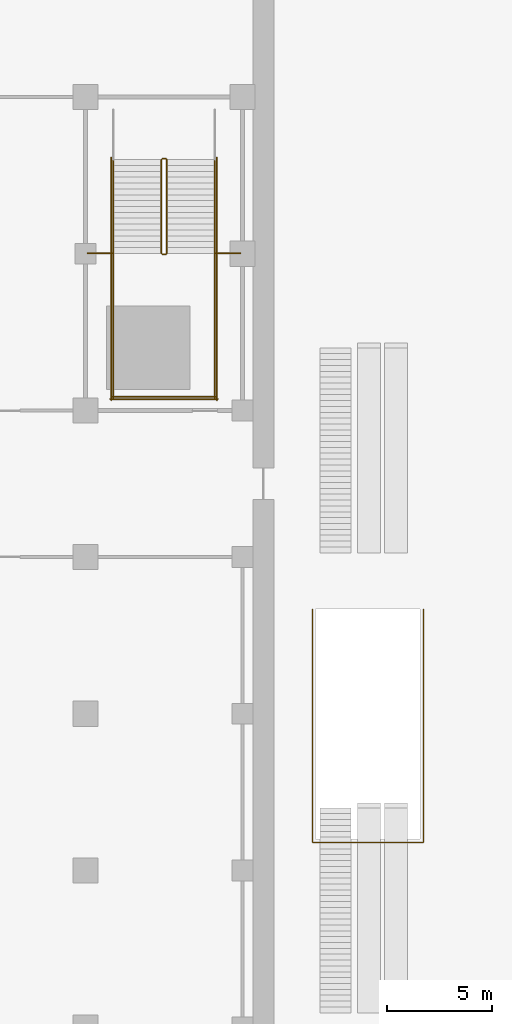
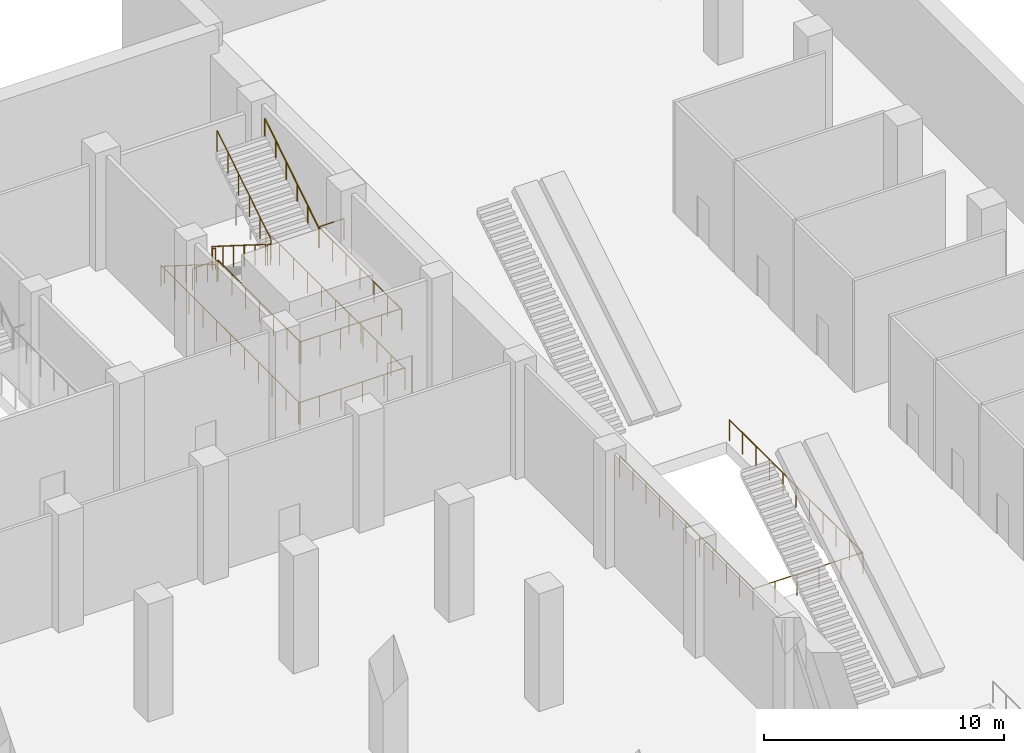
# One storey, part 37 of 45: 15 railings.
"""IFC4 building model written with IfcOpenShell, lengths in metres."""

from ifc_helpers import new_model, si_unit, direction, frame, origin, origin_2d, place, context, subcontext, project, spatial, circle, extrude, material, type_object, element, save


model = new_model("IFC4")

# Units and contexts
model_context = context("Model", 3, precision=1e-05, world=origin(), true_north=direction((0.0, 1.0)))
body_context = subcontext(model_context, "Body", "Model", "MODEL_VIEW")
ifc_project = project(units=[si_unit("LENGTHUNIT", "METRE"), si_unit("AREAUNIT", "SQUARE_METRE"), si_unit("VOLUMEUNIT", "CUBIC_METRE"), si_unit("PLANEANGLEUNIT", "RADIAN"), si_unit("MASSUNIT", "GRAM", prefix="KILO")], contexts=[model_context])

# Site, building, storey
site_placement = place(None, origin())
site = spatial("IfcSite", under=ifc_project, at=site_placement, CompositionType="ELEMENT")
building_placement = place(site_placement, origin())
building = spatial("IfcBuilding", under=site, at=building_placement, Name="Tamorin Gate", CompositionType="ELEMENT")
storey_placement = place(building_placement, frame((0.0, 0.0, -6.0)))
storey = spatial("IfcBuildingStorey", under=building, at=storey_placement, Name="B1", CompositionType="ELEMENT", Elevation=-6.0)

# Railings
ifc_material = material(Name="Steel", Category="steel")
railing_type_1 = type_object("IfcRailingType", Name="Podium guard 1100", PredefinedType="GUARDRAIL", material=ifc_material)
railing_1_placement = place(storey_placement, frame((85.625, 109.0, 0.176513671875)))
element("IfcRailing", 1, at=railing_1_placement, inside=storey, type_object=railing_type_1, Name="B1 SB5 stair guard 1", PredefinedType="GUARDRAIL", context=body_context, shape_type="SweptSolid", body=[
    extrude(circle(Radius=0.02392578125, at=origin_2d()), frame((0.0, 0.0, 1.076171875), z_axis=(0.0, -0.845997938375, 0.533186166611), x_axis=(1.0, 0.0, 0.0)), (0.0, 0.0, 1.0), 5.29541015625),
    extrude(circle(Radius=0.02099609375, at=origin_2d()), origin(), (0.0, 0.0, 1.0), 1.052001953125),
    extrude(circle(Radius=0.02099609375, at=origin_2d()), frame((0.0, -0.89599609375, 0.564697265625)), (0.0, 0.0, 1.0), 1.052001953125),
    extrude(circle(Radius=0.02099609375, at=origin_2d()), frame((0.0, -1.7919921875, 1.12939453125)), (0.0, 0.0, 1.0), 1.052001953125),
    extrude(circle(Radius=0.02099609375, at=origin_2d()), frame((0.0, -2.68798828125, 1.694091796875)), (0.0, 0.0, 1.0), 1.052001953125),
    extrude(circle(Radius=0.02099609375, at=origin_2d()), frame((0.0, -3.583984375, 2.2587890625)), (0.0, 0.0, 1.0), 1.052001953125),
    extrude(circle(Radius=0.02099609375, at=origin_2d()), frame((0.0, -4.47998046875, 2.823486328125)), (0.0, 0.0, 1.0), 1.052001953125),
])
railing_2_placement = place(storey_placement, frame((85.675048828125, 104.469970703125, 3.0)))
element("IfcRailing", 2, at=railing_2_placement, inside=storey, type_object=railing_type_1, Name="B1 SB5 stair guard 2", PredefinedType="GUARDRAIL", context=body_context, shape_type="SweptSolid", body=[
    extrude(circle(Radius=0.02392578125, at=origin_2d()), frame((0.0, 0.0, 1.076171875), z_axis=(1.0, 0.0, 0.0), x_axis=(0.0, 1.0, 0.0)), (0.0, 0.0, 1.0), 0.14990234375),
    extrude(circle(Radius=0.02099609375, at=origin_2d()), origin(), (0.0, 0.0, 1.0), 1.052001953125),
    extrude(circle(Radius=0.02099609375, at=origin_2d()), frame((0.14990234375, 0.0, 0.0)), (0.0, 0.0, 1.0), 1.052001953125),
])
for number, where, name in (
    (3, (83.324951171875, 104.52001953125, 3.0), "B1 SB5 stair guard 3"),
    (4, (88.175048828125, 104.52001953125, 3.0), "B1 SB5 stair guard 4"),
):
    element("IfcRailing", number, at=place(storey_placement, frame(where)), inside=storey, type_object=railing_type_1, Name=name, PredefinedType="GUARDRAIL", context=body_context, shape_type="SweptSolid", body=[
        extrude(circle(Radius=0.02392578125, at=origin_2d()), frame((0.0, 0.0, 1.076171875), z_axis=(0.0, -1.0, 0.0), x_axis=(1.0, 0.0, 0.0)), (0.0, 0.0, 1.0), 6.919921875),
        extrude(circle(Radius=0.02099609375, at=origin_2d()), origin(), (0.0, 0.0, 1.0), 1.052001953125),
        extrude(circle(Radius=0.02099609375, at=origin_2d()), frame((0.0, -1.1533203125, 0.0)), (0.0, 0.0, 1.0), 1.052001953125),
        extrude(circle(Radius=0.02099609375, at=origin_2d()), frame((0.0, -2.306640625, 0.0)), (0.0, 0.0, 1.0), 1.052001953125),
        extrude(circle(Radius=0.02099609375, at=origin_2d()), frame((0.0, -3.4599609375, 0.0)), (0.0, 0.0, 1.0), 1.052001953125),
        extrude(circle(Radius=0.02099609375, at=origin_2d()), frame((0.0, -4.61328125, 0.0)), (0.0, 0.0, 1.0), 1.052001953125),
        extrude(circle(Radius=0.02099609375, at=origin_2d()), frame((0.0, -5.7666015625, 0.0)), (0.0, 0.0, 1.0), 1.052001953125),
        extrude(circle(Radius=0.02099609375, at=origin_2d()), frame((0.0, -6.919921875, 0.0)), (0.0, 0.0, 1.0), 1.052001953125),
    ])
railing_3_placement = place(storey_placement, frame((83.27490234375, 97.64990234375, 3.0)))
element("IfcRailing", 5, at=railing_3_placement, inside=storey, type_object=railing_type_1, Name="B1 SB5 stair guard 5", PredefinedType="GUARDRAIL", context=body_context, shape_type="SweptSolid", body=[
    extrude(circle(Radius=0.02392578125, at=origin_2d()), frame((0.0, 0.0, 1.076171875), z_axis=(1.0, 0.0, 0.0), x_axis=(0.0, 1.0, 0.0)), (0.0, 0.0, 1.0), 4.9501953125),
    extrude(circle(Radius=0.02099609375, at=origin_2d()), origin(), (0.0, 0.0, 1.0), 1.052001953125),
    extrude(circle(Radius=0.02099609375, at=origin_2d()), frame((0.989990234375, 0.0, 0.0)), (0.0, 0.0, 1.0), 1.052001953125),
    extrude(circle(Radius=0.02099609375, at=origin_2d()), frame((1.97998046875, 0.0, 0.0)), (0.0, 0.0, 1.0), 1.052001953125),
    extrude(circle(Radius=0.02099609375, at=origin_2d()), frame((2.97021484375, 0.0, 0.0)), (0.0, 0.0, 1.0), 1.052001953125),
    extrude(circle(Radius=0.02099609375, at=origin_2d()), frame((3.960205078125, 0.0, 0.0)), (0.0, 0.0, 1.0), 1.052001953125),
    extrude(circle(Radius=0.02099609375, at=origin_2d()), frame((4.9501953125, 0.0, 0.0)), (0.0, 0.0, 1.0), 1.052001953125),
])
railing_4_placement = place(storey_placement, frame((85.875, 104.52001953125, 3.176513671875)))
element("IfcRailing", 6, at=railing_4_placement, inside=storey, type_object=railing_type_1, Name="B1 SB5 stair guard 6", PredefinedType="GUARDRAIL", context=body_context, shape_type="SweptSolid", body=[
    extrude(circle(Radius=0.02392578125, at=origin_2d()), frame((0.0, 0.0, 1.076171875), z_axis=(0.0, 0.845997938375, 0.533186166611), x_axis=(-1.0, 0.0, 0.0)), (0.0, 0.0, 1.0), 5.29541015625),
    extrude(circle(Radius=0.02099609375, at=origin_2d()), origin(), (0.0, 0.0, 1.0), 1.052001953125),
    extrude(circle(Radius=0.02099609375, at=origin_2d()), frame((0.0, 0.89599609375, 0.564697265625)), (0.0, 0.0, 1.0), 1.052001953125),
    extrude(circle(Radius=0.02099609375, at=origin_2d()), frame((0.0, 1.7919921875, 1.12939453125)), (0.0, 0.0, 1.0), 1.052001953125),
    extrude(circle(Radius=0.02099609375, at=origin_2d()), frame((0.0, 2.68798828125, 1.694091796875)), (0.0, 0.0, 1.0), 1.052001953125),
    extrude(circle(Radius=0.02099609375, at=origin_2d()), frame((0.0, 3.583984375, 2.2587890625)), (0.0, 0.0, 1.0), 1.052001953125),
    extrude(circle(Radius=0.02099609375, at=origin_2d()), frame((0.0, 4.47998046875, 2.823486328125)), (0.0, 0.0, 1.0), 1.052001953125),
])
railing_5_placement = place(storey_placement, frame((85.675048828125, 109.050048828125, 0.0)))
element("IfcRailing", 7, at=railing_5_placement, inside=storey, type_object=railing_type_1, Name="B1 SB5 stair guard 7", PredefinedType="GUARDRAIL", context=body_context, shape_type="SweptSolid", body=[
    extrude(circle(Radius=0.02392578125, at=origin_2d()), frame((0.0, 0.0, 1.076171875), z_axis=(1.0, 0.0, 0.0), x_axis=(0.0, 1.0, 0.0)), (0.0, 0.0, 1.0), 0.14990234375),
    extrude(circle(Radius=0.02099609375, at=origin_2d()), origin(), (0.0, 0.0, 1.0), 1.052001953125),
    extrude(circle(Radius=0.02099609375, at=origin_2d()), frame((0.14990234375, 0.0, 0.0)), (0.0, 0.0, 1.0), 1.052001953125),
])
for number, where, name in (
    (8, (83.22509765625, 109.10009765625, 0.0), "B1 SB5 stair guard 10"),
    (9, (88.27490234375, 109.10009765625, 0.0), "B1 SB5 stair guard 11"),
):
    element("IfcRailing", number, at=place(storey_placement, frame(where)), inside=storey, type_object=railing_type_1, Name=name, PredefinedType="GUARDRAIL", context=body_context, shape_type="SweptSolid", body=[
        extrude(circle(Radius=0.02392578125, at=origin_2d()), frame((0.0, 0.0, 1.076171875), z_axis=(0.0, -1.0, 0.0), x_axis=(1.0, 0.0, 0.0)), (0.0, 0.0, 1.0), 11.60009765625),
        extrude(circle(Radius=0.02099609375, at=origin_2d()), origin(), (0.0, 0.0, 1.0), 1.052001953125),
        extrude(circle(Radius=0.02099609375, at=origin_2d()), frame((0.0, -1.159912109375, 0.0)), (0.0, 0.0, 1.0), 1.052001953125),
        extrude(circle(Radius=0.02099609375, at=origin_2d()), frame((0.0, -2.320068359375, 0.0)), (0.0, 0.0, 1.0), 1.052001953125),
        extrude(circle(Radius=0.02099609375, at=origin_2d()), frame((0.0, -3.47998046875, 0.0)), (0.0, 0.0, 1.0), 1.052001953125),
        extrude(circle(Radius=0.02099609375, at=origin_2d()), frame((0.0, -4.64013671875, 0.0)), (0.0, 0.0, 1.0), 1.052001953125),
        extrude(circle(Radius=0.02099609375, at=origin_2d()), frame((0.0, -5.800048828125, 0.0)), (0.0, 0.0, 1.0), 1.052001953125),
        extrude(circle(Radius=0.02099609375, at=origin_2d()), frame((0.0, -6.9599609375, 0.0)), (0.0, 0.0, 1.0), 1.052001953125),
        extrude(circle(Radius=0.02099609375, at=origin_2d()), frame((0.0, -8.1201171875, 0.0)), (0.0, 0.0, 1.0), 1.052001953125),
        extrude(circle(Radius=0.02099609375, at=origin_2d()), frame((0.0, -9.280029296875, 0.0)), (0.0, 0.0, 1.0), 1.052001953125),
        extrude(circle(Radius=0.02099609375, at=origin_2d()), frame((0.0, -10.440185546875, 0.0)), (0.0, 0.0, 1.0), 1.052001953125),
        extrude(circle(Radius=0.02099609375, at=origin_2d()), frame((0.0, -11.60009765625, 0.0)), (0.0, 0.0, 1.0), 1.052001953125),
    ])
railing_6_placement = place(storey_placement, frame((83.175048828125, 97.550048828125, 0.0)))
element("IfcRailing", 10, at=railing_6_placement, inside=storey, type_object=railing_type_1, Name="B1 SB5 stair guard 12", PredefinedType="GUARDRAIL", context=body_context, shape_type="SweptSolid", body=[
    extrude(circle(Radius=0.02392578125, at=origin_2d()), frame((0.0, 0.0, 1.076171875), z_axis=(1.0, 0.0, 0.0), x_axis=(0.0, 1.0, 0.0)), (0.0, 0.0, 1.0), 5.14990234375),
    extrude(circle(Radius=0.02099609375, at=origin_2d()), origin(), (0.0, 0.0, 1.0), 1.052001953125),
    extrude(circle(Radius=0.02099609375, at=origin_2d()), frame((1.030029296875, 0.0, 0.0)), (0.0, 0.0, 1.0), 1.052001953125),
    extrude(circle(Radius=0.02099609375, at=origin_2d()), frame((2.06005859375, 0.0, 0.0)), (0.0, 0.0, 1.0), 1.052001953125),
    extrude(circle(Radius=0.02099609375, at=origin_2d()), frame((3.08984375, 0.0, 0.0)), (0.0, 0.0, 1.0), 1.052001953125),
    extrude(circle(Radius=0.02099609375, at=origin_2d()), frame((4.119873046875, 0.0, 0.0)), (0.0, 0.0, 1.0), 1.052001953125),
    extrude(circle(Radius=0.02099609375, at=origin_2d()), frame((5.14990234375, 0.0, 0.0)), (0.0, 0.0, 1.0), 1.052001953125),
])
for number, where, name in (
    (11, (82.10009765625, 104.52001953125, 3.0), "Landing edge guard"),
    (12, (88.22509765625, 104.52001953125, 3.0), "Landing edge guard"),
):
    element("IfcRailing", number, at=place(storey_placement, frame(where)), inside=storey, type_object=railing_type_1, Name=name, PredefinedType="GUARDRAIL", context=body_context, shape_type="SweptSolid", body=[
        extrude(circle(Radius=0.02392578125, at=origin_2d()), frame((0.0, 0.0, 1.076171875), z_axis=(1.0, 0.0, 0.0), x_axis=(0.0, 1.0, 0.0)), (0.0, 0.0, 1.0), 1.1748046875),
        extrude(circle(Radius=0.02099609375, at=origin_2d()), origin(), (0.0, 0.0, 1.0), 1.052001953125),
        extrude(circle(Radius=0.02099609375, at=origin_2d()), frame((1.1748046875, 0.0, 0.0)), (0.0, 0.0, 1.0), 1.052001953125),
    ])
railing_type_2 = type_object("IfcRailingType", Name="Podium stair handrail 900", PredefinedType="HANDRAIL", material=ifc_material)
railing_7_placement = place(storey_placement, frame((83.324951171875, 109.0, 0.176513671875)))
element("IfcRailing", 13, at=railing_7_placement, inside=storey, type_object=railing_type_2, Name="B1 SB5 stair handrail 1", PredefinedType="HANDRAIL", context=body_context, shape_type="SweptSolid", body=[
    extrude(circle(Radius=0.02392578125, at=origin_2d()), frame((0.0, 0.0, 0.8759765625), z_axis=(0.0, -0.845997938375, 0.533186166611), x_axis=(1.0, 0.0, 0.0)), (0.0, 0.0, 1.0), 5.29541015625),
    extrude(circle(Radius=0.02099609375, at=origin_2d()), origin(), (0.0, 0.0, 1.0), 0.851806640625),
    extrude(circle(Radius=0.02099609375, at=origin_2d()), frame((0.0, -0.89599609375, 0.564697265625)), (0.0, 0.0, 1.0), 0.851806640625),
    extrude(circle(Radius=0.02099609375, at=origin_2d()), frame((0.0, -1.7919921875, 1.12939453125)), (0.0, 0.0, 1.0), 0.851806640625),
    extrude(circle(Radius=0.02099609375, at=origin_2d()), frame((0.0, -2.68798828125, 1.694091796875)), (0.0, 0.0, 1.0), 0.851806640625),
    extrude(circle(Radius=0.02099609375, at=origin_2d()), frame((0.0, -3.583984375, 2.2587890625)), (0.0, 0.0, 1.0), 0.851806640625),
    extrude(circle(Radius=0.02099609375, at=origin_2d()), frame((0.0, -4.47998046875, 2.823486328125)), (0.0, 0.0, 1.0), 0.851806640625),
])
railing_8_placement = place(storey_placement, frame((88.175048828125, 104.52001953125, 3.176513671875)))
element("IfcRailing", 14, at=railing_8_placement, inside=storey, type_object=railing_type_2, Name="B1 SB5 stair handrail 2", PredefinedType="HANDRAIL", context=body_context, shape_type="SweptSolid", body=[
    extrude(circle(Radius=0.02392578125, at=origin_2d()), frame((0.0, 0.0, 0.8759765625), z_axis=(0.0, 0.845997938375, 0.533186166611), x_axis=(-1.0, 0.0, 0.0)), (0.0, 0.0, 1.0), 5.29541015625),
    extrude(circle(Radius=0.02099609375, at=origin_2d()), origin(), (0.0, 0.0, 1.0), 0.851806640625),
    extrude(circle(Radius=0.02099609375, at=origin_2d()), frame((0.0, 0.89599609375, 0.564697265625)), (0.0, 0.0, 1.0), 0.851806640625),
    extrude(circle(Radius=0.02099609375, at=origin_2d()), frame((0.0, 1.7919921875, 1.12939453125)), (0.0, 0.0, 1.0), 0.851806640625),
    extrude(circle(Radius=0.02099609375, at=origin_2d()), frame((0.0, 2.68798828125, 1.694091796875)), (0.0, 0.0, 1.0), 0.851806640625),
    extrude(circle(Radius=0.02099609375, at=origin_2d()), frame((0.0, 3.583984375, 2.2587890625)), (0.0, 0.0, 1.0), 0.851806640625),
    extrude(circle(Radius=0.02099609375, at=origin_2d()), frame((0.0, 4.47998046875, 2.823486328125)), (0.0, 0.0, 1.0), 0.851806640625),
])
railing_type_3 = type_object("IfcRailingType", Name="Station barrier 1100", PredefinedType="GUARDRAIL", material=ifc_material)
railing_9_placement = place(storey_placement, frame((92.85009765625, 87.5, 0.0)))
element("IfcRailing", 15, at=railing_9_placement, inside=storey, type_object=railing_type_3, Name="Station void barrier", PredefinedType="GUARDRAIL", context=body_context, shape_type="SweptSolid", body=[
    extrude(circle(Radius=0.02392578125, at=origin_2d()), frame((0.0, 0.0, 1.076171875), z_axis=(0.0, -1.0, 0.0), x_axis=(1.0, 0.0, 0.0)), (0.0, 0.0, 1.0), 11.14990234375),
    extrude(circle(Radius=0.02392578125, at=origin_2d()), frame((0.0, -11.14990234375, 1.076171875), z_axis=(1.0, 0.0, 0.0), x_axis=(0.0, 1.0, 0.0)), (0.0, 0.0, 1.0), 5.2998046875),
    extrude(circle(Radius=0.02392578125, at=origin_2d()), frame((5.2998046875, -11.14990234375, 1.076171875), z_axis=(0.0, 1.0, 0.0), x_axis=(-1.0, 0.0, 0.0)), (0.0, 0.0, 1.0), 11.14990234375),
    extrude(circle(Radius=0.02099609375, at=origin_2d()), origin(), (0.0, 0.0, 1.0), 1.052001953125),
    extrude(circle(Radius=0.02099609375, at=origin_2d()), frame((0.0, -1.114990234375, 0.0)), (0.0, 0.0, 1.0), 1.052001953125),
    extrude(circle(Radius=0.02099609375, at=origin_2d()), frame((0.0, -2.22998046875, 0.0)), (0.0, 0.0, 1.0), 1.052001953125),
    extrude(circle(Radius=0.02099609375, at=origin_2d()), frame((0.0, -3.344970703125, 0.0)), (0.0, 0.0, 1.0), 1.052001953125),
    extrude(circle(Radius=0.02099609375, at=origin_2d()), frame((0.0, -4.4599609375, 0.0)), (0.0, 0.0, 1.0), 1.052001953125),
    extrude(circle(Radius=0.02099609375, at=origin_2d()), frame((0.0, -5.574951171875, 0.0)), (0.0, 0.0, 1.0), 1.052001953125),
    extrude(circle(Radius=0.02099609375, at=origin_2d()), frame((0.0, -6.68994140625, 0.0)), (0.0, 0.0, 1.0), 1.052001953125),
    extrude(circle(Radius=0.02099609375, at=origin_2d()), frame((0.0, -7.804931640625, 0.0)), (0.0, 0.0, 1.0), 1.052001953125),
    extrude(circle(Radius=0.02099609375, at=origin_2d()), frame((0.0, -8.919921875, 0.0)), (0.0, 0.0, 1.0), 1.052001953125),
    extrude(circle(Radius=0.02099609375, at=origin_2d()), frame((0.0, -10.034912109375, 0.0)), (0.0, 0.0, 1.0), 1.052001953125),
    extrude(circle(Radius=0.02099609375, at=origin_2d()), frame((0.0, -11.14990234375, 0.0)), (0.0, 0.0, 1.0), 1.052001953125),
    extrude(circle(Radius=0.02099609375, at=origin_2d()), frame((1.06005859375, -11.14990234375, 0.0)), (0.0, 0.0, 1.0), 1.052001953125),
    extrude(circle(Radius=0.02099609375, at=origin_2d()), frame((2.119873046875, -11.14990234375, 0.0)), (0.0, 0.0, 1.0), 1.052001953125),
    extrude(circle(Radius=0.02099609375, at=origin_2d()), frame((3.179931640625, -11.14990234375, 0.0)), (0.0, 0.0, 1.0), 1.052001953125),
    extrude(circle(Radius=0.02099609375, at=origin_2d()), frame((4.23974609375, -11.14990234375, 0.0)), (0.0, 0.0, 1.0), 1.052001953125),
    extrude(circle(Radius=0.02099609375, at=origin_2d()), frame((5.2998046875, -11.14990234375, 0.0)), (0.0, 0.0, 1.0), 1.052001953125),
    extrude(circle(Radius=0.02099609375, at=origin_2d()), frame((5.2998046875, -10.034912109375, 0.0)), (0.0, 0.0, 1.0), 1.052001953125),
    extrude(circle(Radius=0.02099609375, at=origin_2d()), frame((5.2998046875, -8.919921875, 0.0)), (0.0, 0.0, 1.0), 1.052001953125),
    extrude(circle(Radius=0.02099609375, at=origin_2d()), frame((5.2998046875, -7.804931640625, 0.0)), (0.0, 0.0, 1.0), 1.052001953125),
    extrude(circle(Radius=0.02099609375, at=origin_2d()), frame((5.2998046875, -6.68994140625, 0.0)), (0.0, 0.0, 1.0), 1.052001953125),
    extrude(circle(Radius=0.02099609375, at=origin_2d()), frame((5.2998046875, -5.574951171875, 0.0)), (0.0, 0.0, 1.0), 1.052001953125),
    extrude(circle(Radius=0.02099609375, at=origin_2d()), frame((5.2998046875, -4.4599609375, 0.0)), (0.0, 0.0, 1.0), 1.052001953125),
    extrude(circle(Radius=0.02099609375, at=origin_2d()), frame((5.2998046875, -3.344970703125, 0.0)), (0.0, 0.0, 1.0), 1.052001953125),
    extrude(circle(Radius=0.02099609375, at=origin_2d()), frame((5.2998046875, -2.22998046875, 0.0)), (0.0, 0.0, 1.0), 1.052001953125),
    extrude(circle(Radius=0.02099609375, at=origin_2d()), frame((5.2998046875, -1.114990234375, 0.0)), (0.0, 0.0, 1.0), 1.052001953125),
    extrude(circle(Radius=0.02099609375, at=origin_2d()), frame((5.2998046875, 0.0, 0.0)), (0.0, 0.0, 1.0), 1.052001953125),
])

save(model, "model.ifc")
